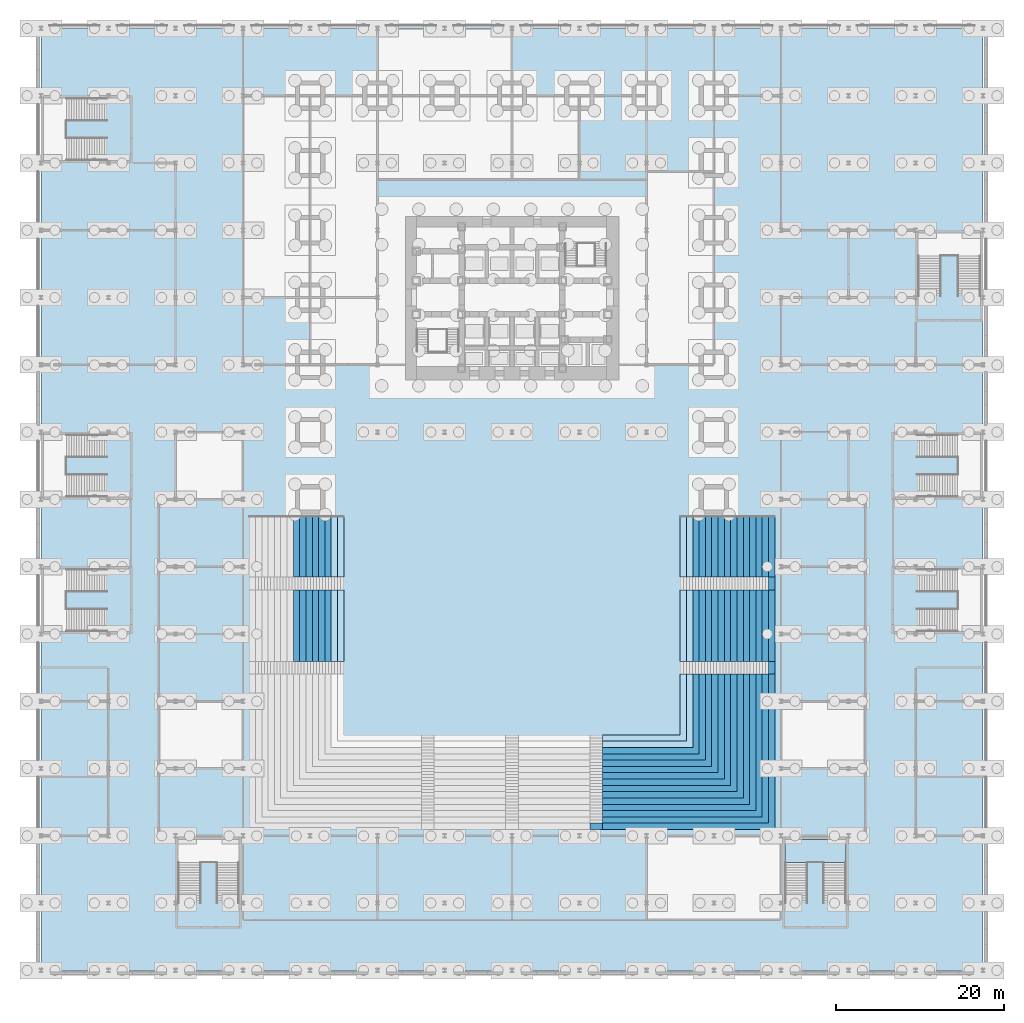
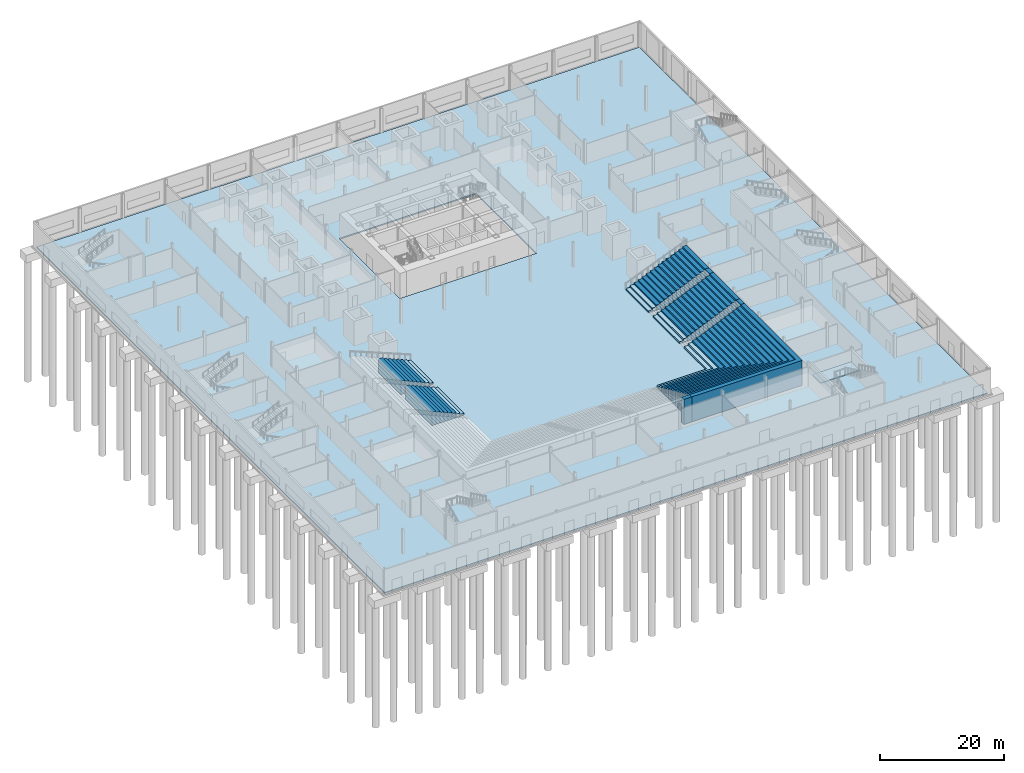
# One storey, part 9 of 24: 66 slabs, 1 element without a shape of its own.
"""IFC4 building model written with IfcOpenShell, lengths in metres."""

import ifcopenshell
import ifcopenshell.guid

model = None  # the IFC model being written
_history = None  # IfcOwnerHistory: only IFC2X3 demands one
_inside = {}  # id of a spatial element -> (the spatial element, [elements in it])
_under = {}  # id of a project, library or spatial element -> (it, [spatial elements below it])
_declared = {}  # id of a project -> (the project, [libraries it declares])
_typed = {}  # id of a type object -> (the type object, [elements of that type])
_made_of = {}  # id of a material, layer set ... -> (it, [elements and type objects made of it])


def new_model(schema):
    """Start an empty IFC model of exactly this schema.

    Asked for "IFC4X3", IfcOpenShell would pick the latest addendum, in which some entities
    have other attributes; the version numbers below select the first issue.
    IFC2X3 requires an IfcOwnerHistory on every rooted entity: one is made here for all.
    """
    global model, _history
    if schema == "IFC4X3":
        model = ifcopenshell.file(schema_version=(4, 3, 0, 0))
    else:
        model = ifcopenshell.file(schema=schema)
    _inside.clear()
    _under.clear()
    _declared.clear()
    _typed.clear()
    _made_of.clear()
    _history = None
    if model.schema == "IFC2X3":
        org = make("IfcOrganization", Name="unknown")
        user = make(
            "IfcPersonAndOrganization",
            ThePerson=make("IfcPerson", FamilyName="unknown"),
            TheOrganization=org,
        )
        app = make(
            "IfcApplication",
            ApplicationDeveloper=org,
            Version="unknown",
            ApplicationFullName="unknown",
            ApplicationIdentifier="unknown",
        )
        _history = make(
            "IfcOwnerHistory",
            OwningUser=user,
            OwningApplication=app,
            ChangeAction="ADDED",
            CreationDate=0,
        )
    return model


def make(cls, **values):
    """One entity of the class cls with the attributes given. An attribute that is None is left unset."""
    return model.create_entity(
        cls, **{name: value for name, value in values.items() if value is not None}
    )


def rooted(cls, **values):
    """An entity with a GlobalId (a new one), such as an element, a storey or a relation."""
    return make(cls, GlobalId=ifcopenshell.guid.new(), OwnerHistory=_history, **values)


def si_unit(unit_type, name, prefix=None):
    """IfcSIUnit, for example si_unit("LENGTHUNIT", "METRE", prefix="MILLI")."""
    return make("IfcSIUnit", UnitType=unit_type, Prefix=prefix, Name=name)


def assignment(units):
    """IfcUnitAssignment: the units of a project."""
    return None if units is None else make("IfcUnitAssignment", Units=units)


def point(xyz):
    """IfcCartesianPoint."""
    return None if xyz is None else make("IfcCartesianPoint", Coordinates=xyz)


def direction(xyz):
    """IfcDirection."""
    return None if xyz is None else make("IfcDirection", DirectionRatios=xyz)


def frame(location, z_axis=None, x_axis=None):
    """IfcAxis2Placement3D, a coordinate frame: its origin and axes. An axis left out is left unset."""
    return make(
        "IfcAxis2Placement3D",
        Location=point(location),
        Axis=direction(z_axis),
        RefDirection=direction(x_axis),
    )


def origin():
    """The frame at (0, 0, 0) with its axes left unset."""
    return frame((0.0, 0.0, 0.0))


def place(relative_to, where):
    """IfcLocalPlacement: puts the frame where relative to a parent placement (None: the world)."""
    return make(
        "IfcLocalPlacement", PlacementRelTo=relative_to, RelativePlacement=where
    )


def context(
    kind, dimensions, precision=None, world=None, true_north=None, identifier=None
):
    """IfcGeometricRepresentationContext, for example the 3D "Model" context."""
    return make(
        "IfcGeometricRepresentationContext",
        ContextIdentifier=identifier,
        ContextType=kind,
        CoordinateSpaceDimension=dimensions,
        Precision=precision,
        WorldCoordinateSystem=world,
        TrueNorth=true_north,
    )


def subcontext(parent, identifier, kind, view, scale=None):
    """IfcGeometricRepresentationSubContext, for example "Body" below "Model"."""
    return make(
        "IfcGeometricRepresentationSubContext",
        ContextIdentifier=identifier,
        ContextType=kind,
        ParentContext=parent,
        TargetScale=scale,
        TargetView=view,
    )


def project(units=None, contexts=None):
    """IfcProject with its units and contexts."""
    return rooted(
        "IfcProject",
        Name="project",
        RepresentationContexts=contexts,
        UnitsInContext=assignment(units),
    )


def spatial(cls, under=None, at=None, **own):
    """A site, building, storey or space (cls), placed at a placement, below another one or the project."""
    s = rooted(cls, ObjectPlacement=at, **own)
    if under is not None:
        _under.setdefault(under.id(), (under, []))[1].append(s)
    return s


def polyline(points):
    """IfcPolyline through the points."""
    return make("IfcPolyline", Points=[point(p) for p in points])


def outline(outer, holes=None, kind="AREA"):
    """IfcArbitraryClosedProfileDef: a profile drawn as a closed curve; with holes, ...WithVoids."""
    if holes is None:
        return make("IfcArbitraryClosedProfileDef", ProfileType=kind, OuterCurve=outer)
    return make(
        "IfcArbitraryProfileDefWithVoids",
        ProfileType=kind,
        OuterCurve=outer,
        InnerCurves=holes,
    )


def extrude(swept, where, along, depth):
    """IfcExtrudedAreaSolid: the profile swept, set in the frame where, extruded along a direction by depth."""
    return make(
        "IfcExtrudedAreaSolid",
        SweptArea=swept,
        Position=where,
        ExtrudedDirection=direction(along),
        Depth=depth,
    )


def shape(context_of_items, identifier, shape_type, items):
    """IfcShapeRepresentation: the items that make up one representation, for example the "Body"."""
    return make(
        "IfcShapeRepresentation",
        ContextOfItems=context_of_items,
        RepresentationIdentifier=identifier,
        RepresentationType=shape_type,
        Items=items,
    )


def material(Name=None, Category=None):
    """IfcMaterial."""
    return make("IfcMaterial", Name=Name, Category=Category)


def layer(
    of_material, thickness, ventilated=None, Name=None, Category=None, Priority=None
):
    """IfcMaterialLayer: one layer of a wall or slab, of a material (None: an air gap)."""
    return make(
        "IfcMaterialLayer",
        Material=of_material,
        LayerThickness=thickness,
        IsVentilated=ventilated,
        Name=Name,
        Category=Category,
        Priority=Priority,
    )


def layer_set(layers, Name=None):
    """IfcMaterialLayerSet."""
    return make("IfcMaterialLayerSet", MaterialLayers=layers, LayerSetName=Name)


def made_of(thing, what):
    """Note that an element or type object is made of a material, layer set ...; save() writes the relation."""
    if what is not None:
        _made_of.setdefault(what.id(), (what, []))[1].append(thing)
    return thing


def type_object(cls, material=None, **own):
    """A type object (cls), such as IfcWallType, which elements share."""
    return made_of(rooted(cls, **own), material)


def element(
    cls,
    number,
    at=None,
    inside=None,
    cuts=None,
    type_object=None,
    material=None,
    context=None,
    identifier="Body",
    shape_type=None,
    held_by="IfcProductDefinitionShape",
    body=None,
    shapes=None,
    **own,
):
    """One element of the class cls, such as IfcWall. Its Tag is "e" and its number.

    at: its placement. inside: the storey or other place that contains it. cuts: it is an
    opening in that element (IfcRelVoidsElement). A single representation is given by context,
    identifier, shape_type and body (its items); several are given by shapes. held_by: the class
    of the entity that holds the representations. save() writes the other relations.
    """
    e = rooted(cls, Tag="e%d" % number, ObjectPlacement=at, **own)
    if body is not None:
        shapes = [shape(context, identifier, shape_type, body)]
    if shapes is not None:
        e.Representation = make(held_by, Representations=shapes)
    if inside is not None:
        _inside.setdefault(inside.id(), (inside, []))[1].append(e)
    if cuts is not None:
        rooted(
            "IfcRelVoidsElement", RelatingBuildingElement=cuts, RelatedOpeningElement=e
        )
    if type_object is not None:
        _typed.setdefault(type_object.id(), (type_object, []))[1].append(e)
    return made_of(e, material)


def aggregate(whole, parts):
    """IfcRelAggregates: a whole, such as a stair, and the parts it consists of."""
    return rooted("IfcRelAggregates", RelatingObject=whole, RelatedObjects=parts)


def save(model, path):
    """Write the relations noted so far, then the file.

    IfcRelAggregates (storeys below a building ...), IfcRelContainedInSpatialStructure (elements
    in a storey), IfcRelDefinesByType, IfcRelAssociatesMaterial and IfcRelDeclares: one each for
    every whole, place, type object, material and project.
    """
    for whole, parts in _under.values():
        aggregate(whole, parts)
    for where, things in _inside.values():
        rooted(
            "IfcRelContainedInSpatialStructure",
            RelatedElements=things,
            RelatingStructure=where,
        )
    for kind, things in _typed.values():
        rooted("IfcRelDefinesByType", RelatedObjects=things, RelatingType=kind)
    for what, things in _made_of.values():
        rooted("IfcRelAssociatesMaterial", RelatedObjects=things, RelatingMaterial=what)
    for by, libraries in _declared.values():
        rooted("IfcRelDeclares", RelatingContext=by, RelatedDefinitions=libraries)
    model.write(path)


model = new_model("IFC4")

# Units and contexts
model_context = context("Model", 3, precision=1e-05, world=origin(), true_north=direction((0.0, 1.0)))
body_context = subcontext(model_context, "Body", "Model", "MODEL_VIEW")
ifc_project = project(units=[si_unit("LENGTHUNIT", "METRE"), si_unit("AREAUNIT", "SQUARE_METRE"), si_unit("VOLUMEUNIT", "CUBIC_METRE"), si_unit("PLANEANGLEUNIT", "RADIAN"), si_unit("MASSUNIT", "GRAM", prefix="KILO")], contexts=[model_context])

# Site, building, storey
site_placement = place(None, origin())
site = spatial("IfcSite", under=ifc_project, at=site_placement, CompositionType="ELEMENT")
building_placement = place(site_placement, origin())
building = spatial("IfcBuilding", under=site, at=building_placement, Name="Daluyong Arena Tower", CompositionType="ELEMENT")
storey_placement = place(building_placement, origin())
storey = spatial("IfcBuildingStorey", under=building, at=storey_placement, Name="L00", CompositionType="ELEMENT", Elevation=0.0)

# Slabs
ifc_material_1 = material(Name="Concrete fc' 35 MPa", Category="concrete")
ifc_layer_1 = layer(ifc_material_1, 0.25)
ifc_layer_set_1 = layer_set([ifc_layer_1], Name="Concrete fc' 35 MPa")
slab_type_1 = type_object("IfcSlabType", Name="Ground slab 250", PredefinedType="BASESLAB", material=ifc_layer_set_1)
slab_1_placement = place(storey_placement, frame((0.0, 0.0, -0.25)))
element("IfcSlab", 1, at=slab_1_placement, inside=storey, type_object=slab_type_1, Name="ground slab part 9", PredefinedType="BASESLAB", context=body_context, shape_type="SweptSolid", body=[
    extrude(outline(polyline([(0.0, 0.0), (112.0, 0.0), (112.0, 112.0), (0.0, 112.0), (0.0, 0.0)]), holes=[polyline([(68.75, 89.639892578125), (68.75, 70.199951171875), (43.360107421875, 70.199951171875), (43.360107421875, 89.639892578125), (68.75, 89.639892578125)])]), origin(), (0.0, 0.0, 1.0), 0.25),
])
ifc_material_2 = material(Name="Concrete fc' 35 MPa", Category="concrete")
ifc_layer_2 = layer(ifc_material_2, 0.326904296875)
ifc_layer_set_2 = layer_set([ifc_layer_2], Name="Concrete fc' 35 MPa")
slab_type_2 = type_object("IfcSlabType", Name="Lower seating row 01", PredefinedType="USERDEFINED", material=ifc_layer_set_2)
slab_2_placement = place(storey_placement, origin())
element("IfcSlab", 2, at=slab_2_placement, inside=storey, type_object=slab_type_2, Name="lower seating row 1 part 1", ObjectType="SEATING UNIT", PredefinedType="USERDEFINED", context=body_context, shape_type="SweptSolid", body=[
    extrude(outline(polyline([(35.25, 45.25), (35.25, 36.75), (36.0, 36.75), (36.0, 45.25), (35.25, 45.25)])), origin(), (0.0, 0.0, 1.0), 0.32666015625),
])
slab_3_placement = place(storey_placement, origin())
element("IfcSlab", 3, at=slab_3_placement, inside=storey, type_object=slab_type_2, Name="lower seating row 1 part 2", ObjectType="SEATING UNIT", PredefinedType="USERDEFINED", context=body_context, shape_type="SweptSolid", body=[
    extrude(outline(polyline([(35.25, 54.0), (35.25, 46.75), (36.0, 46.75), (36.0, 54.0), (35.25, 54.0)])), origin(), (0.0, 0.0, 1.0), 0.32666015625),
])
slab_4_placement = place(storey_placement, origin())
element("IfcSlab", 4, at=slab_4_placement, inside=storey, type_object=slab_type_2, Name="lower seating row 1 part 6", ObjectType="SEATING UNIT", PredefinedType="USERDEFINED", context=body_context, shape_type="SweptSolid", body=[
    extrude(outline(polyline([(76.75, 27.25), (76.75, 35.25), (76.0, 35.25), (76.0, 28.0), (66.75, 28.0), (66.75, 27.25), (76.75, 27.25)])), origin(), (0.0, 0.0, 1.0), 0.32666015625),
])
slab_5_placement = place(storey_placement, origin())
element("IfcSlab", 5, at=slab_5_placement, inside=storey, type_object=slab_type_2, Name="lower seating row 1 part 7", ObjectType="SEATING UNIT", PredefinedType="USERDEFINED", context=body_context, shape_type="SweptSolid", body=[
    extrude(outline(polyline([(76.75, 36.75), (76.75, 45.25), (76.0, 45.25), (76.0, 36.75), (76.75, 36.75)])), origin(), (0.0, 0.0, 1.0), 0.32666015625),
])
slab_6_placement = place(storey_placement, origin())
element("IfcSlab", 6, at=slab_6_placement, inside=storey, type_object=slab_type_2, Name="lower seating row 1 part 8", ObjectType="SEATING UNIT", PredefinedType="USERDEFINED", context=body_context, shape_type="SweptSolid", body=[
    extrude(outline(polyline([(76.75, 46.75), (76.75, 54.0), (76.0, 54.0), (76.0, 46.75), (76.75, 46.75)])), origin(), (0.0, 0.0, 1.0), 0.32666015625),
])
ifc_material_3 = material(Name="Concrete fc' 35 MPa", Category="concrete")
ifc_layer_3 = layer(ifc_material_3, 0.653076171875)
ifc_layer_set_3 = layer_set([ifc_layer_3], Name="Concrete fc' 35 MPa")
slab_type_3 = type_object("IfcSlabType", Name="Lower seating row 02", PredefinedType="USERDEFINED", material=ifc_layer_set_3)
slab_7_placement = place(storey_placement, origin())
element("IfcSlab", 7, at=slab_7_placement, inside=storey, type_object=slab_type_3, Name="lower seating row 2 part 1", ObjectType="SEATING UNIT", PredefinedType="USERDEFINED", context=body_context, shape_type="SweptSolid", body=[
    extrude(outline(polyline([(34.5, 45.25), (34.5, 36.75), (35.25, 36.75), (35.25, 45.25), (34.5, 45.25)])), origin(), (0.0, 0.0, 1.0), 0.6533203125),
])
slab_8_placement = place(storey_placement, origin())
element("IfcSlab", 8, at=slab_8_placement, inside=storey, type_object=slab_type_3, Name="lower seating row 2 part 2", ObjectType="SEATING UNIT", PredefinedType="USERDEFINED", context=body_context, shape_type="SweptSolid", body=[
    extrude(outline(polyline([(34.5, 54.0), (34.5, 46.75), (35.25, 46.75), (35.25, 54.0), (34.5, 54.0)])), origin(), (0.0, 0.0, 1.0), 0.6533203125),
])
slab_9_placement = place(storey_placement, origin())
element("IfcSlab", 9, at=slab_9_placement, inside=storey, type_object=slab_type_3, Name="lower seating row 2 part 6", ObjectType="SEATING UNIT", PredefinedType="USERDEFINED", context=body_context, shape_type="SweptSolid", body=[
    extrude(outline(polyline([(77.5, 26.5), (77.5, 35.25), (76.75, 35.25), (76.75, 27.25), (66.75, 27.25), (66.75, 26.5), (77.5, 26.5)])), origin(), (0.0, 0.0, 1.0), 0.6533203125),
])
slab_10_placement = place(storey_placement, origin())
element("IfcSlab", 10, at=slab_10_placement, inside=storey, type_object=slab_type_3, Name="lower seating row 2 part 7", ObjectType="SEATING UNIT", PredefinedType="USERDEFINED", context=body_context, shape_type="SweptSolid", body=[
    extrude(outline(polyline([(77.5, 36.75), (77.5, 45.25), (76.75, 45.25), (76.75, 36.75), (77.5, 36.75)])), origin(), (0.0, 0.0, 1.0), 0.6533203125),
])
slab_11_placement = place(storey_placement, origin())
element("IfcSlab", 11, at=slab_11_placement, inside=storey, type_object=slab_type_3, Name="lower seating row 2 part 8", ObjectType="SEATING UNIT", PredefinedType="USERDEFINED", context=body_context, shape_type="SweptSolid", body=[
    extrude(outline(polyline([(77.5, 46.75), (77.5, 54.0), (76.75, 54.0), (76.75, 46.75), (77.5, 46.75)])), origin(), (0.0, 0.0, 1.0), 0.6533203125),
])
ifc_material_4 = material(Name="Concrete fc' 35 MPa", Category="concrete")
ifc_layer_4 = layer(ifc_material_4, 0.97998046875)
ifc_layer_set_4 = layer_set([ifc_layer_4], Name="Concrete fc' 35 MPa")
slab_type_4 = type_object("IfcSlabType", Name="Lower seating row 03", PredefinedType="USERDEFINED", material=ifc_layer_set_4)
slab_12_placement = place(storey_placement, origin())
element("IfcSlab", 12, at=slab_12_placement, inside=storey, type_object=slab_type_4, Name="lower seating row 3 part 1", ObjectType="SEATING UNIT", PredefinedType="USERDEFINED", context=body_context, shape_type="SweptSolid", body=[
    extrude(outline(polyline([(33.75, 45.25), (33.75, 36.75), (34.5, 36.75), (34.5, 45.25), (33.75, 45.25)])), origin(), (0.0, 0.0, 1.0), 0.97998046875),
])
slab_13_placement = place(storey_placement, origin())
element("IfcSlab", 13, at=slab_13_placement, inside=storey, type_object=slab_type_4, Name="lower seating row 3 part 2", ObjectType="SEATING UNIT", PredefinedType="USERDEFINED", context=body_context, shape_type="SweptSolid", body=[
    extrude(outline(polyline([(33.75, 54.0), (33.75, 46.75), (34.5, 46.75), (34.5, 54.0), (33.75, 54.0)])), origin(), (0.0, 0.0, 1.0), 0.97998046875),
])
slab_14_placement = place(storey_placement, origin())
element("IfcSlab", 14, at=slab_14_placement, inside=storey, type_object=slab_type_4, Name="lower seating row 3 part 6", ObjectType="SEATING UNIT", PredefinedType="USERDEFINED", context=body_context, shape_type="SweptSolid", body=[
    extrude(outline(polyline([(78.25, 25.75), (78.25, 35.25), (77.5, 35.25), (77.5, 26.5), (66.75, 26.5), (66.75, 25.75), (78.25, 25.75)])), origin(), (0.0, 0.0, 1.0), 0.97998046875),
])
slab_15_placement = place(storey_placement, origin())
element("IfcSlab", 15, at=slab_15_placement, inside=storey, type_object=slab_type_4, Name="lower seating row 3 part 7", ObjectType="SEATING UNIT", PredefinedType="USERDEFINED", context=body_context, shape_type="SweptSolid", body=[
    extrude(outline(polyline([(78.25, 36.75), (78.25, 45.25), (77.5, 45.25), (77.5, 36.75), (78.25, 36.75)])), origin(), (0.0, 0.0, 1.0), 0.97998046875),
])
slab_16_placement = place(storey_placement, origin())
element("IfcSlab", 16, at=slab_16_placement, inside=storey, type_object=slab_type_4, Name="lower seating row 3 part 8", ObjectType="SEATING UNIT", PredefinedType="USERDEFINED", context=body_context, shape_type="SweptSolid", body=[
    extrude(outline(polyline([(78.25, 46.75), (78.25, 54.0), (77.5, 54.0), (77.5, 46.75), (78.25, 46.75)])), origin(), (0.0, 0.0, 1.0), 0.97998046875),
])
ifc_material_5 = material(Name="Concrete fc' 35 MPa", Category="concrete")
ifc_layer_5 = layer(ifc_material_5, 1.306884765625)
ifc_layer_set_5 = layer_set([ifc_layer_5], Name="Concrete fc' 35 MPa")
slab_type_5 = type_object("IfcSlabType", Name="Lower seating row 04", PredefinedType="USERDEFINED", material=ifc_layer_set_5)
slab_17_placement = place(storey_placement, origin())
element("IfcSlab", 17, at=slab_17_placement, inside=storey, type_object=slab_type_5, Name="lower seating row 4 part 1", ObjectType="SEATING UNIT", PredefinedType="USERDEFINED", context=body_context, shape_type="SweptSolid", body=[
    extrude(outline(polyline([(33.0, 45.25), (33.0, 36.75), (33.75, 36.75), (33.75, 45.25), (33.0, 45.25)])), origin(), (0.0, 0.0, 1.0), 1.306640625),
])
slab_18_placement = place(storey_placement, origin())
element("IfcSlab", 18, at=slab_18_placement, inside=storey, type_object=slab_type_5, Name="lower seating row 4 part 2", ObjectType="SEATING UNIT", PredefinedType="USERDEFINED", context=body_context, shape_type="SweptSolid", body=[
    extrude(outline(polyline([(33.0, 54.0), (33.0, 46.75), (33.75, 46.75), (33.75, 54.0), (33.0, 54.0)])), origin(), (0.0, 0.0, 1.0), 1.306640625),
])
slab_19_placement = place(storey_placement, origin())
element("IfcSlab", 19, at=slab_19_placement, inside=storey, type_object=slab_type_5, Name="lower seating row 4 part 6", ObjectType="SEATING UNIT", PredefinedType="USERDEFINED", context=body_context, shape_type="SweptSolid", body=[
    extrude(outline(polyline([(79.0, 25.0), (79.0, 35.25), (78.25, 35.25), (78.25, 25.75), (66.75, 25.75), (66.75, 25.0), (79.0, 25.0)])), origin(), (0.0, 0.0, 1.0), 1.306640625),
])
slab_20_placement = place(storey_placement, origin())
element("IfcSlab", 20, at=slab_20_placement, inside=storey, type_object=slab_type_5, Name="lower seating row 4 part 7", ObjectType="SEATING UNIT", PredefinedType="USERDEFINED", context=body_context, shape_type="SweptSolid", body=[
    extrude(outline(polyline([(79.0, 36.75), (79.0, 45.25), (78.25, 45.25), (78.25, 36.75), (79.0, 36.75)])), origin(), (0.0, 0.0, 1.0), 1.306640625),
])
slab_21_placement = place(storey_placement, origin())
element("IfcSlab", 21, at=slab_21_placement, inside=storey, type_object=slab_type_5, Name="lower seating row 4 part 8", ObjectType="SEATING UNIT", PredefinedType="USERDEFINED", context=body_context, shape_type="SweptSolid", body=[
    extrude(outline(polyline([(79.0, 46.75), (79.0, 54.0), (78.25, 54.0), (78.25, 46.75), (79.0, 46.75)])), origin(), (0.0, 0.0, 1.0), 1.306640625),
])
ifc_material_6 = material(Name="Concrete fc' 35 MPa", Category="concrete")
ifc_layer_6 = layer(ifc_material_6, 1.633056640625)
ifc_layer_set_6 = layer_set([ifc_layer_6], Name="Concrete fc' 35 MPa")
slab_type_6 = type_object("IfcSlabType", Name="Lower seating row 05", PredefinedType="USERDEFINED", material=ifc_layer_set_6)
slab_22_placement = place(storey_placement, origin())
element("IfcSlab", 22, at=slab_22_placement, inside=storey, type_object=slab_type_6, Name="lower seating row 5 part 1", ObjectType="SEATING UNIT", PredefinedType="USERDEFINED", context=body_context, shape_type="SweptSolid", body=[
    extrude(outline(polyline([(32.25, 45.25), (32.25, 36.75), (33.0, 36.75), (33.0, 45.25), (32.25, 45.25)])), origin(), (0.0, 0.0, 1.0), 1.63330078125),
])
slab_23_placement = place(storey_placement, origin())
element("IfcSlab", 23, at=slab_23_placement, inside=storey, type_object=slab_type_6, Name="lower seating row 5 part 2", ObjectType="SEATING UNIT", PredefinedType="USERDEFINED", context=body_context, shape_type="SweptSolid", body=[
    extrude(outline(polyline([(32.25, 54.0), (32.25, 46.75), (33.0, 46.75), (33.0, 54.0), (32.25, 54.0)])), origin(), (0.0, 0.0, 1.0), 1.63330078125),
])
slab_24_placement = place(storey_placement, origin())
element("IfcSlab", 24, at=slab_24_placement, inside=storey, type_object=slab_type_6, Name="lower seating row 5 part 6", ObjectType="SEATING UNIT", PredefinedType="USERDEFINED", context=body_context, shape_type="SweptSolid", body=[
    extrude(outline(polyline([(79.75, 24.25), (79.75, 35.25), (79.0, 35.25), (79.0, 25.0), (66.75, 25.0), (66.75, 24.25), (79.75, 24.25)])), origin(), (0.0, 0.0, 1.0), 1.63330078125),
])
slab_25_placement = place(storey_placement, origin())
element("IfcSlab", 25, at=slab_25_placement, inside=storey, type_object=slab_type_6, Name="lower seating row 5 part 7", ObjectType="SEATING UNIT", PredefinedType="USERDEFINED", context=body_context, shape_type="SweptSolid", body=[
    extrude(outline(polyline([(79.75, 36.75), (79.75, 45.25), (79.0, 45.25), (79.0, 36.75), (79.75, 36.75)])), origin(), (0.0, 0.0, 1.0), 1.63330078125),
])
slab_26_placement = place(storey_placement, origin())
element("IfcSlab", 26, at=slab_26_placement, inside=storey, type_object=slab_type_6, Name="lower seating row 5 part 8", ObjectType="SEATING UNIT", PredefinedType="USERDEFINED", context=body_context, shape_type="SweptSolid", body=[
    extrude(outline(polyline([(79.75, 46.75), (79.75, 54.0), (79.0, 54.0), (79.0, 46.75), (79.75, 46.75)])), origin(), (0.0, 0.0, 1.0), 1.63330078125),
])
ifc_material_7 = material(Name="Concrete fc' 35 MPa", Category="concrete")
ifc_layer_7 = layer(ifc_material_7, 1.9599609375)
ifc_layer_set_7 = layer_set([ifc_layer_7], Name="Concrete fc' 35 MPa")
slab_type_7 = type_object("IfcSlabType", Name="Lower seating row 06", PredefinedType="USERDEFINED", material=ifc_layer_set_7)
slab_27_placement = place(storey_placement, origin())
element("IfcSlab", 27, at=slab_27_placement, inside=storey, type_object=slab_type_7, Name="lower seating row 6 part 1", ObjectType="SEATING UNIT", PredefinedType="USERDEFINED", context=body_context, shape_type="SweptSolid", body=[
    extrude(outline(polyline([(31.5, 45.25), (31.5, 36.75), (32.25, 36.75), (32.25, 45.25), (31.5, 45.25)])), origin(), (0.0, 0.0, 1.0), 1.9599609375),
])
slab_28_placement = place(storey_placement, origin())
element("IfcSlab", 28, at=slab_28_placement, inside=storey, type_object=slab_type_7, Name="lower seating row 6 part 2", ObjectType="SEATING UNIT", PredefinedType="USERDEFINED", context=body_context, shape_type="SweptSolid", body=[
    extrude(outline(polyline([(31.5, 54.0), (31.5, 46.75), (32.25, 46.75), (32.25, 54.0), (31.5, 54.0)])), origin(), (0.0, 0.0, 1.0), 1.9599609375),
])
slab_29_placement = place(storey_placement, origin())
element("IfcSlab", 29, at=slab_29_placement, inside=storey, type_object=slab_type_7, Name="lower seating row 6 part 6", ObjectType="SEATING UNIT", PredefinedType="USERDEFINED", context=body_context, shape_type="SweptSolid", body=[
    extrude(outline(polyline([(80.5, 23.5), (80.5, 35.25), (79.75, 35.25), (79.75, 24.25), (66.75, 24.25), (66.75, 23.5), (80.5, 23.5)])), origin(), (0.0, 0.0, 1.0), 1.9599609375),
])
slab_30_placement = place(storey_placement, origin())
element("IfcSlab", 30, at=slab_30_placement, inside=storey, type_object=slab_type_7, Name="lower seating row 6 part 7", ObjectType="SEATING UNIT", PredefinedType="USERDEFINED", context=body_context, shape_type="SweptSolid", body=[
    extrude(outline(polyline([(80.5, 36.75), (80.5, 45.25), (79.75, 45.25), (79.75, 36.75), (80.5, 36.75)])), origin(), (0.0, 0.0, 1.0), 1.9599609375),
])
slab_31_placement = place(storey_placement, origin())
element("IfcSlab", 31, at=slab_31_placement, inside=storey, type_object=slab_type_7, Name="lower seating row 6 part 8", ObjectType="SEATING UNIT", PredefinedType="USERDEFINED", context=body_context, shape_type="SweptSolid", body=[
    extrude(outline(polyline([(80.5, 46.75), (80.5, 54.0), (79.75, 54.0), (79.75, 46.75), (80.5, 46.75)])), origin(), (0.0, 0.0, 1.0), 1.9599609375),
])
ifc_material_8 = material(Name="Concrete fc' 35 MPa", Category="concrete")
ifc_layer_8 = layer(ifc_material_8, 2.287109375)
ifc_layer_set_8 = layer_set([ifc_layer_8], Name="Concrete fc' 35 MPa")
slab_type_8 = type_object("IfcSlabType", Name="Lower seating row 07", PredefinedType="USERDEFINED", material=ifc_layer_set_8)
slab_32_placement = place(storey_placement, origin())
element("IfcSlab", 32, at=slab_32_placement, inside=storey, type_object=slab_type_8, Name="lower seating row 7 part 1", ObjectType="SEATING UNIT", PredefinedType="USERDEFINED", context=body_context, shape_type="SweptSolid", body=[
    extrude(outline(polyline([(30.75, 45.25), (30.75, 36.75), (31.5, 36.75), (31.5, 45.25), (30.75, 45.25)])), origin(), (0.0, 0.0, 1.0), 2.28662109375),
])
slab_33_placement = place(storey_placement, origin())
element("IfcSlab", 33, at=slab_33_placement, inside=storey, type_object=slab_type_8, Name="lower seating row 7 part 2", ObjectType="SEATING UNIT", PredefinedType="USERDEFINED", context=body_context, shape_type="SweptSolid", body=[
    extrude(outline(polyline([(30.75, 54.0), (30.75, 46.75), (31.5, 46.75), (31.5, 54.0), (30.75, 54.0)])), origin(), (0.0, 0.0, 1.0), 2.28662109375),
])
slab_34_placement = place(storey_placement, origin())
element("IfcSlab", 34, at=slab_34_placement, inside=storey, type_object=slab_type_8, Name="lower seating row 7 part 6", ObjectType="SEATING UNIT", PredefinedType="USERDEFINED", context=body_context, shape_type="SweptSolid", body=[
    extrude(outline(polyline([(81.25, 22.75), (81.25, 35.25), (80.5, 35.25), (80.5, 23.5), (66.75, 23.5), (66.75, 22.75), (81.25, 22.75)])), origin(), (0.0, 0.0, 1.0), 2.28662109375),
])
slab_35_placement = place(storey_placement, origin())
element("IfcSlab", 35, at=slab_35_placement, inside=storey, type_object=slab_type_8, Name="lower seating row 7 part 7", ObjectType="SEATING UNIT", PredefinedType="USERDEFINED", context=body_context, shape_type="SweptSolid", body=[
    extrude(outline(polyline([(81.25, 36.75), (81.25, 45.25), (80.5, 45.25), (80.5, 36.75), (81.25, 36.75)])), origin(), (0.0, 0.0, 1.0), 2.28662109375),
])
slab_36_placement = place(storey_placement, origin())
element("IfcSlab", 36, at=slab_36_placement, inside=storey, type_object=slab_type_8, Name="lower seating row 7 part 8", ObjectType="SEATING UNIT", PredefinedType="USERDEFINED", context=body_context, shape_type="SweptSolid", body=[
    extrude(outline(polyline([(81.25, 46.75), (81.25, 54.0), (80.5, 54.0), (80.5, 46.75), (81.25, 46.75)])), origin(), (0.0, 0.0, 1.0), 2.28662109375),
])
ifc_material_9 = material(Name="Concrete fc' 35 MPa", Category="concrete")
ifc_layer_9 = layer(ifc_material_9, 2.613037109375)
ifc_layer_set_9 = layer_set([ifc_layer_9], Name="Concrete fc' 35 MPa")
slab_type_9 = type_object("IfcSlabType", Name="Lower seating row 08", PredefinedType="USERDEFINED", material=ifc_layer_set_9)
slab_37_placement = place(storey_placement, origin())
element("IfcSlab", 37, at=slab_37_placement, inside=storey, type_object=slab_type_9, Name="lower seating row 8 part 1", ObjectType="SEATING UNIT", PredefinedType="USERDEFINED", context=body_context, shape_type="SweptSolid", body=[
    extrude(outline(polyline([(30.0, 45.25), (30.0, 36.75), (30.75, 36.75), (30.75, 45.25), (30.0, 45.25)])), origin(), (0.0, 0.0, 1.0), 2.61328125),
])
slab_38_placement = place(storey_placement, origin())
element("IfcSlab", 38, at=slab_38_placement, inside=storey, type_object=slab_type_9, Name="lower seating row 8 part 2", ObjectType="SEATING UNIT", PredefinedType="USERDEFINED", context=body_context, shape_type="SweptSolid", body=[
    extrude(outline(polyline([(30.0, 54.0), (30.0, 46.75), (30.75, 46.75), (30.75, 54.0), (30.0, 54.0)])), origin(), (0.0, 0.0, 1.0), 2.61328125),
])
slab_39_placement = place(storey_placement, origin())
element("IfcSlab", 39, at=slab_39_placement, inside=storey, type_object=slab_type_9, Name="lower seating row 8 part 6", ObjectType="SEATING UNIT", PredefinedType="USERDEFINED", context=body_context, shape_type="SweptSolid", body=[
    extrude(outline(polyline([(82.0, 22.0), (82.0, 35.25), (81.25, 35.25), (81.25, 22.75), (66.75, 22.75), (66.75, 22.0), (82.0, 22.0)])), origin(), (0.0, 0.0, 1.0), 2.61328125),
])
slab_40_placement = place(storey_placement, origin())
element("IfcSlab", 40, at=slab_40_placement, inside=storey, type_object=slab_type_9, Name="lower seating row 8 part 7", ObjectType="SEATING UNIT", PredefinedType="USERDEFINED", context=body_context, shape_type="SweptSolid", body=[
    extrude(outline(polyline([(82.0, 36.75), (82.0, 45.25), (81.25, 45.25), (81.25, 36.75), (82.0, 36.75)])), origin(), (0.0, 0.0, 1.0), 2.61328125),
])
slab_41_placement = place(storey_placement, origin())
element("IfcSlab", 41, at=slab_41_placement, inside=storey, type_object=slab_type_9, Name="lower seating row 8 part 8", ObjectType="SEATING UNIT", PredefinedType="USERDEFINED", context=body_context, shape_type="SweptSolid", body=[
    extrude(outline(polyline([(82.0, 46.75), (82.0, 54.0), (81.25, 54.0), (81.25, 46.75), (82.0, 46.75)])), origin(), (0.0, 0.0, 1.0), 2.61328125),
])
ifc_material_10 = material(Name="Concrete fc' 35 MPa", Category="concrete")
ifc_layer_10 = layer(ifc_material_10, 2.93994140625)
ifc_layer_set_10 = layer_set([ifc_layer_10], Name="Concrete fc' 35 MPa")
slab_type_10 = type_object("IfcSlabType", Name="Lower seating row 09", PredefinedType="USERDEFINED", material=ifc_layer_set_10)
slab_42_placement = place(storey_placement, origin())
element("IfcSlab", 42, at=slab_42_placement, inside=storey, type_object=slab_type_10, Name="lower seating row 9 part 6", ObjectType="SEATING UNIT", PredefinedType="USERDEFINED", context=body_context, shape_type="SweptSolid", body=[
    extrude(outline(polyline([(82.75, 21.25), (82.75, 35.25), (82.0, 35.25), (82.0, 22.0), (66.75, 22.0), (66.75, 21.25), (82.75, 21.25)])), origin(), (0.0, 0.0, 1.0), 2.93994140625),
])
slab_43_placement = place(storey_placement, origin())
element("IfcSlab", 43, at=slab_43_placement, inside=storey, type_object=slab_type_10, Name="lower seating row 9 part 7", ObjectType="SEATING UNIT", PredefinedType="USERDEFINED", context=body_context, shape_type="SweptSolid", body=[
    extrude(outline(polyline([(82.75, 36.75), (82.75, 45.25), (82.0, 45.25), (82.0, 36.75), (82.75, 36.75)])), origin(), (0.0, 0.0, 1.0), 2.93994140625),
])
slab_44_placement = place(storey_placement, origin())
element("IfcSlab", 44, at=slab_44_placement, inside=storey, type_object=slab_type_10, Name="lower seating row 9 part 8", ObjectType="SEATING UNIT", PredefinedType="USERDEFINED", context=body_context, shape_type="SweptSolid", body=[
    extrude(outline(polyline([(82.75, 46.75), (82.75, 54.0), (82.0, 54.0), (82.0, 46.75), (82.75, 46.75)])), origin(), (0.0, 0.0, 1.0), 2.93994140625),
])
ifc_material_11 = material(Name="Concrete fc' 35 MPa", Category="concrete")
ifc_layer_11 = layer(ifc_material_11, 3.26708984375)
ifc_layer_set_11 = layer_set([ifc_layer_11], Name="Concrete fc' 35 MPa")
slab_type_11 = type_object("IfcSlabType", Name="Lower seating row 10", PredefinedType="USERDEFINED", material=ifc_layer_set_11)
slab_45_placement = place(storey_placement, origin())
element("IfcSlab", 45, at=slab_45_placement, inside=storey, type_object=slab_type_11, Name="lower seating row 10 part 6", ObjectType="SEATING UNIT", PredefinedType="USERDEFINED", context=body_context, shape_type="SweptSolid", body=[
    extrude(outline(polyline([(83.5, 20.5), (83.5, 35.25), (82.75, 35.25), (82.75, 21.25), (66.75, 21.25), (66.75, 20.5), (83.5, 20.5)])), origin(), (0.0, 0.0, 1.0), 3.2666015625),
])
slab_46_placement = place(storey_placement, origin())
element("IfcSlab", 46, at=slab_46_placement, inside=storey, type_object=slab_type_11, Name="lower seating row 10 part 7", ObjectType="SEATING UNIT", PredefinedType="USERDEFINED", context=body_context, shape_type="SweptSolid", body=[
    extrude(outline(polyline([(83.5, 36.75), (83.5, 45.25), (82.75, 45.25), (82.75, 36.75), (83.5, 36.75)])), origin(), (0.0, 0.0, 1.0), 3.2666015625),
])
slab_47_placement = place(storey_placement, origin())
element("IfcSlab", 47, at=slab_47_placement, inside=storey, type_object=slab_type_11, Name="lower seating row 10 part 8", ObjectType="SEATING UNIT", PredefinedType="USERDEFINED", context=body_context, shape_type="SweptSolid", body=[
    extrude(outline(polyline([(83.5, 46.75), (83.5, 54.0), (82.75, 54.0), (82.75, 46.75), (83.5, 46.75)])), origin(), (0.0, 0.0, 1.0), 3.2666015625),
])
ifc_material_12 = material(Name="Concrete fc' 35 MPa", Category="concrete")
ifc_layer_12 = layer(ifc_material_12, 3.593017578125)
ifc_layer_set_12 = layer_set([ifc_layer_12], Name="Concrete fc' 35 MPa")
slab_type_12 = type_object("IfcSlabType", Name="Lower seating row 11", PredefinedType="USERDEFINED", material=ifc_layer_set_12)
slab_48_placement = place(storey_placement, origin())
element("IfcSlab", 48, at=slab_48_placement, inside=storey, type_object=slab_type_12, Name="lower seating row 11 part 6", ObjectType="SEATING UNIT", PredefinedType="USERDEFINED", context=body_context, shape_type="SweptSolid", body=[
    extrude(outline(polyline([(84.25, 19.75), (84.25, 35.25), (83.5, 35.25), (83.5, 20.5), (66.75, 20.5), (66.75, 19.75), (84.25, 19.75)])), origin(), (0.0, 0.0, 1.0), 3.59326171875),
])
slab_49_placement = place(storey_placement, origin())
element("IfcSlab", 49, at=slab_49_placement, inside=storey, type_object=slab_type_12, Name="lower seating row 11 part 7", ObjectType="SEATING UNIT", PredefinedType="USERDEFINED", context=body_context, shape_type="SweptSolid", body=[
    extrude(outline(polyline([(84.25, 36.75), (84.25, 45.25), (83.5, 45.25), (83.5, 36.75), (84.25, 36.75)])), origin(), (0.0, 0.0, 1.0), 3.59326171875),
])
slab_50_placement = place(storey_placement, origin())
element("IfcSlab", 50, at=slab_50_placement, inside=storey, type_object=slab_type_12, Name="lower seating row 11 part 8", ObjectType="SEATING UNIT", PredefinedType="USERDEFINED", context=body_context, shape_type="SweptSolid", body=[
    extrude(outline(polyline([(84.25, 46.75), (84.25, 54.0), (83.5, 54.0), (83.5, 46.75), (84.25, 46.75)])), origin(), (0.0, 0.0, 1.0), 3.59326171875),
])
ifc_material_13 = material(Name="Concrete fc' 35 MPa", Category="concrete")
ifc_layer_13 = layer(ifc_material_13, 3.919921875)
ifc_layer_set_13 = layer_set([ifc_layer_13], Name="Concrete fc' 35 MPa")
slab_type_13 = type_object("IfcSlabType", Name="Lower seating row 12", PredefinedType="USERDEFINED", material=ifc_layer_set_13)
slab_51_placement = place(storey_placement, origin())
element("IfcSlab", 51, at=slab_51_placement, inside=storey, type_object=slab_type_13, Name="lower seating row 12 part 6", ObjectType="SEATING UNIT", PredefinedType="USERDEFINED", context=body_context, shape_type="SweptSolid", body=[
    extrude(outline(polyline([(85.0, 19.0), (85.0, 35.25), (84.25, 35.25), (84.25, 19.75), (66.75, 19.75), (66.75, 19.0), (85.0, 19.0)])), origin(), (0.0, 0.0, 1.0), 3.919921875),
])
slab_52_placement = place(storey_placement, origin())
element("IfcSlab", 52, at=slab_52_placement, inside=storey, type_object=slab_type_13, Name="lower seating row 12 part 7", ObjectType="SEATING UNIT", PredefinedType="USERDEFINED", context=body_context, shape_type="SweptSolid", body=[
    extrude(outline(polyline([(85.0, 36.75), (85.0, 45.25), (84.25, 45.25), (84.25, 36.75), (85.0, 36.75)])), origin(), (0.0, 0.0, 1.0), 3.919921875),
])
slab_53_placement = place(storey_placement, origin())
element("IfcSlab", 53, at=slab_53_placement, inside=storey, type_object=slab_type_13, Name="lower seating row 12 part 8", ObjectType="SEATING UNIT", PredefinedType="USERDEFINED", context=body_context, shape_type="SweptSolid", body=[
    extrude(outline(polyline([(85.0, 46.75), (85.0, 54.0), (84.25, 54.0), (84.25, 46.75), (85.0, 46.75)])), origin(), (0.0, 0.0, 1.0), 3.919921875),
])
ifc_material_14 = material(Name="Concrete fc' 35 MPa", Category="concrete")
ifc_layer_14 = layer(ifc_material_14, 4.2470703125)
ifc_layer_set_14 = layer_set([ifc_layer_14], Name="Concrete fc' 35 MPa")
slab_type_14 = type_object("IfcSlabType", Name="Lower seating row 13", PredefinedType="USERDEFINED", material=ifc_layer_set_14)
slab_54_placement = place(storey_placement, origin())
element("IfcSlab", 54, at=slab_54_placement, inside=storey, type_object=slab_type_14, Name="lower seating row 13 part 6", ObjectType="SEATING UNIT", PredefinedType="USERDEFINED", context=body_context, shape_type="SweptSolid", body=[
    extrude(outline(polyline([(85.75, 18.25), (85.75, 35.25), (85.0, 35.25), (85.0, 19.0), (66.75, 19.0), (66.75, 18.25), (85.75, 18.25)])), origin(), (0.0, 0.0, 1.0), 4.24658203125),
])
slab_55_placement = place(storey_placement, origin())
element("IfcSlab", 55, at=slab_55_placement, inside=storey, type_object=slab_type_14, Name="lower seating row 13 part 7", ObjectType="SEATING UNIT", PredefinedType="USERDEFINED", context=body_context, shape_type="SweptSolid", body=[
    extrude(outline(polyline([(85.75, 36.75), (85.75, 45.25), (85.0, 45.25), (85.0, 36.75), (85.75, 36.75)])), origin(), (0.0, 0.0, 1.0), 4.24658203125),
])
slab_56_placement = place(storey_placement, origin())
element("IfcSlab", 56, at=slab_56_placement, inside=storey, type_object=slab_type_14, Name="lower seating row 13 part 8", ObjectType="SEATING UNIT", PredefinedType="USERDEFINED", context=body_context, shape_type="SweptSolid", body=[
    extrude(outline(polyline([(85.75, 46.75), (85.75, 54.0), (85.0, 54.0), (85.0, 46.75), (85.75, 46.75)])), origin(), (0.0, 0.0, 1.0), 4.24658203125),
])
ifc_material_15 = material(Name="Concrete fc' 35 MPa", Category="concrete")
ifc_layer_15 = layer(ifc_material_15, 4.572998046875)
ifc_layer_set_15 = layer_set([ifc_layer_15], Name="Concrete fc' 35 MPa")
slab_type_15 = type_object("IfcSlabType", Name="Lower seating row 14", PredefinedType="USERDEFINED", material=ifc_layer_set_15)
slab_57_placement = place(storey_placement, origin())
element("IfcSlab", 57, at=slab_57_placement, inside=storey, type_object=slab_type_15, Name="lower seating row 14 part 6", ObjectType="SEATING UNIT", PredefinedType="USERDEFINED", context=body_context, shape_type="SweptSolid", body=[
    extrude(outline(polyline([(86.5, 17.5), (86.5, 35.25), (85.75, 35.25), (85.75, 18.25), (66.75, 18.25), (66.75, 17.5), (86.5, 17.5)])), origin(), (0.0, 0.0, 1.0), 4.5732421875),
])
slab_58_placement = place(storey_placement, origin())
element("IfcSlab", 58, at=slab_58_placement, inside=storey, type_object=slab_type_15, Name="lower seating row 14 part 7", ObjectType="SEATING UNIT", PredefinedType="USERDEFINED", context=body_context, shape_type="SweptSolid", body=[
    extrude(outline(polyline([(86.5, 36.75), (86.5, 45.25), (85.75, 45.25), (85.75, 36.75), (86.5, 36.75)])), origin(), (0.0, 0.0, 1.0), 4.5732421875),
])
slab_59_placement = place(storey_placement, origin())
element("IfcSlab", 59, at=slab_59_placement, inside=storey, type_object=slab_type_15, Name="lower seating row 14 part 8", ObjectType="SEATING UNIT", PredefinedType="USERDEFINED", context=body_context, shape_type="SweptSolid", body=[
    extrude(outline(polyline([(86.5, 46.75), (86.5, 54.0), (85.75, 54.0), (85.75, 46.75), (86.5, 46.75)])), origin(), (0.0, 0.0, 1.0), 4.5732421875),
])
ifc_material_16 = material(Name="Concrete fc' 35 MPa", Category="concrete")
ifc_layer_16 = layer(ifc_material_16, 4.89990234375)
ifc_layer_set_16 = layer_set([ifc_layer_16], Name="Concrete fc' 35 MPa")
slab_type_16 = type_object("IfcSlabType", Name="Lower seating row 15", PredefinedType="USERDEFINED", material=ifc_layer_set_16)
slab_60_placement = place(storey_placement, origin())
element("IfcSlab", 60, at=slab_60_placement, inside=storey, type_object=slab_type_16, Name="lower seating row 15 part 6", ObjectType="SEATING UNIT", PredefinedType="USERDEFINED", context=body_context, shape_type="SweptSolid", body=[
    extrude(outline(polyline([(87.25, 16.75), (87.25, 35.25), (86.5, 35.25), (86.5, 17.5), (66.75, 17.5), (66.75, 16.75), (87.25, 16.75)])), origin(), (0.0, 0.0, 1.0), 4.89990234375),
])
slab_61_placement = place(storey_placement, origin())
element("IfcSlab", 61, at=slab_61_placement, inside=storey, type_object=slab_type_16, Name="lower seating row 15 part 7", ObjectType="SEATING UNIT", PredefinedType="USERDEFINED", context=body_context, shape_type="SweptSolid", body=[
    extrude(outline(polyline([(87.25, 36.75), (87.25, 45.25), (86.5, 45.25), (86.5, 36.75), (87.25, 36.75)])), origin(), (0.0, 0.0, 1.0), 4.89990234375),
])
slab_62_placement = place(storey_placement, origin())
element("IfcSlab", 62, at=slab_62_placement, inside=storey, type_object=slab_type_16, Name="lower seating row 15 part 8", ObjectType="SEATING UNIT", PredefinedType="USERDEFINED", context=body_context, shape_type="SweptSolid", body=[
    extrude(outline(polyline([(87.25, 46.75), (87.25, 54.0), (86.5, 54.0), (86.5, 46.75), (87.25, 46.75)])), origin(), (0.0, 0.0, 1.0), 4.89990234375),
])
slab_63_placement = place(storey_placement, origin())
element("IfcSlab", 63, at=slab_63_placement, inside=storey, type_object=slab_type_16, Name="lower seating row aisle head", ObjectType="SEATING UNIT", PredefinedType="USERDEFINED", context=body_context, shape_type="SweptSolid", body=[
    extrude(outline(polyline([(87.25, 35.25), (87.25, 36.75), (86.5, 36.75), (86.5, 35.25), (87.25, 35.25)])), origin(), (0.0, 0.0, 1.0), 4.89990234375),
])
slab_64_placement = place(storey_placement, origin())
element("IfcSlab", 64, at=slab_64_placement, inside=storey, type_object=slab_type_16, Name="lower seating row aisle head", ObjectType="SEATING UNIT", PredefinedType="USERDEFINED", context=body_context, shape_type="SweptSolid", body=[
    extrude(outline(polyline([(87.25, 45.25), (87.25, 46.75), (86.5, 46.75), (86.5, 45.25), (87.25, 45.25)])), origin(), (0.0, 0.0, 1.0), 4.89990234375),
])
slab_65_placement = place(storey_placement, origin())
element("IfcSlab", 65, at=slab_65_placement, inside=storey, type_object=slab_type_16, Name="lower seating row aisle head", ObjectType="SEATING UNIT", PredefinedType="USERDEFINED", context=body_context, shape_type="SweptSolid", body=[
    extrude(outline(polyline([(66.75, 16.75), (66.75, 17.5), (65.25, 17.5), (65.25, 16.75), (66.75, 16.75)])), origin(), (0.0, 0.0, 1.0), 4.89990234375),
])

# Stair, slab
ifc_material_17 = material(Name="Concrete fc' 35 MPa", Category="concrete")
stair_type = type_object("IfcStairType", Name="Podium exit stair", PredefinedType="HALF_TURN_STAIR", material=ifc_material_17)
stair_placement = place(storey_placement, origin())
stair = element("IfcStair", 66, at=stair_placement, inside=storey, type_object=stair_type, Name="exit stair PS2 L00", PredefinedType="HALF_TURN_STAIR")
ifc_material_18 = material(Name="Concrete fc' 35 MPa", Category="concrete")
ifc_layer_17 = layer(ifc_material_18, 0.199951171875)
ifc_layer_set_17 = layer_set([ifc_layer_17], Name="Concrete fc' 35 MPa")
slab_type_17 = type_object("IfcSlabType", Name="Stair landing 200", PredefinedType="LANDING", material=ifc_layer_set_17)
slab_66_placement = place(storey_placement, frame((0.0, 0.0, 2.25)))
slab_66 = element("IfcSlab", 67, at=slab_66_placement, type_object=slab_type_17, Name="PS2 landing 1", PredefinedType="LANDING", context=body_context, shape_type="SweptSolid", body=[
    extrude(outline(polyline([(88.449951171875, 12.81005859375), (95.699951171875, 12.81005859375), (95.699951171875, 15.550048828125), (88.449951171875, 15.550048828125), (88.449951171875, 12.81005859375)])), origin(), (0.0, 0.0, 1.0), 0.199951171875),
])
aggregate(stair, [slab_66])

save(model, "model.ifc")
